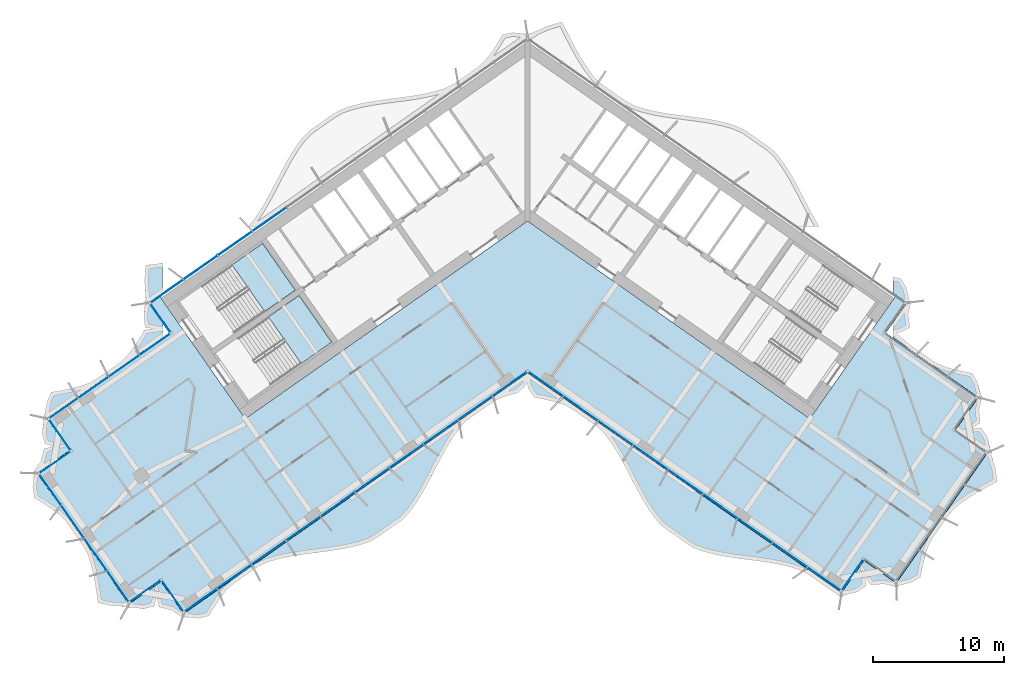
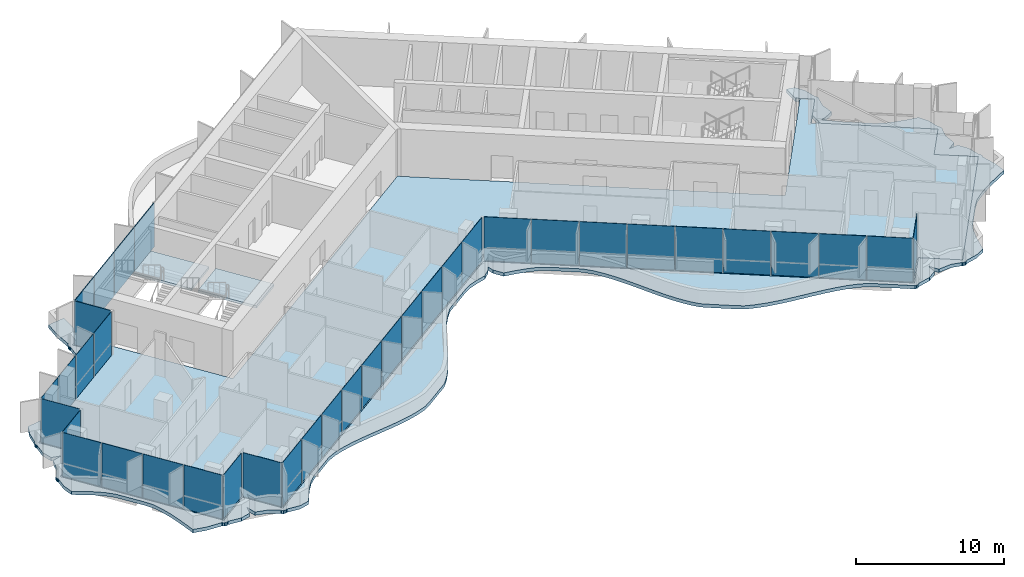
# One storey, part 12 of 23: 37 plates, 4 slabs, 4 elements without a shape of their own.
"""IFC4 building model written with IfcOpenShell, lengths in metres."""

from ifc_helpers import new_model, si_unit, direction, frame, origin, origin_2d, place, context, subcontext, project, spatial, polyline, rectangle, outline, extrude, material, layer, layer_set, type_object, element, aggregate, save


model = new_model("IFC4")

# Units and contexts
model_context = context("Model", 3, precision=1e-05, world=origin(), true_north=direction((0.0, 1.0)))
body_context = subcontext(model_context, "Body", "Model", "MODEL_VIEW")
ifc_project = project(units=[si_unit("LENGTHUNIT", "METRE"), si_unit("AREAUNIT", "SQUARE_METRE"), si_unit("VOLUMEUNIT", "CUBIC_METRE"), si_unit("PLANEANGLEUNIT", "RADIAN"), si_unit("MASSUNIT", "GRAM", prefix="KILO")], contexts=[model_context])

# Site, building, storey
site_placement = place(None, origin())
site = spatial("IfcSite", under=ifc_project, at=site_placement, CompositionType="ELEMENT")
building_placement = place(site_placement, origin())
building = spatial("IfcBuilding", under=site, at=building_placement, Name="Tel Ilan Convention Tower", CompositionType="ELEMENT")
storey_placement = place(building_placement, frame((0.0, 0.0, 194.39990234375)))
storey = spatial("IfcBuildingStorey", under=building, at=storey_placement, Name="L45", CompositionType="ELEMENT", Elevation=194.39990234375)

# Curtain wall, plates
ifc_material_1 = material(Name="Aluminium, bronze anodised", Category="aluminium")
curtain_wall_type_1 = type_object("IfcCurtainWallType", Name="CW4 STICK CURTAIN WALL, OFFICE TINTED GLASS", PredefinedType="NOTDEFINED", material=ifc_material_1)
curtain_wall_1_placement = place(storey_placement, origin())
curtain_wall_1 = element("IfcCurtainWall", 1, at=curtain_wall_1_placement, inside=storey, type_object=curtain_wall_type_1, Name="Curtain wall CW4-35.02", PredefinedType="NOTDEFINED")
ifc_material_2 = material(Name="Glass, bronze tinted, two-ply", Category="glass")
ifc_layer_1 = layer(ifc_material_2, 0.028076171875)
ifc_layer_set_1 = layer_set([ifc_layer_1], Name="CW GLASS PANEL 28")
plate_type_1 = type_object("IfcPlateType", Name="CW GLASS PANEL 28", PredefinedType="CURTAIN_PANEL", material=ifc_layer_set_1)
plate_1_placement = place(storey_placement, frame((-28.450927734375, -10.6435546875, 0.0), z_axis=(0.0, 0.0, 1.0), x_axis=(-0.819152044289, -0.573576436351, 0.0)))
plate_1 = element("IfcPlate", 2, at=plate_1_placement, type_object=plate_type_1, Name="Glass panel", PredefinedType="CURTAIN_PANEL", context=body_context, shape_type="SweptSolid", body=[
    extrude(rectangle(XDim=2.819091796875, YDim=0.028076171875, at=origin_2d()), origin(), (0.0, 0.0, 1.0), 3.6201171875),
])
plate_2_placement = place(storey_placement, frame((-30.79736328125, -12.28662109375, 0.0), z_axis=(0.0, 0.0, 1.0), x_axis=(-0.819152044289, -0.573576436351, 0.0)))
plate_2 = element("IfcPlate", 3, at=plate_2_placement, type_object=plate_type_1, Name="Glass panel", PredefinedType="CURTAIN_PANEL", context=body_context, shape_type="SweptSolid", body=[
    extrude(rectangle(XDim=2.7900390625, YDim=0.028076171875, at=origin_2d()), origin(), (0.0, 0.0, 1.0), 3.6201171875),
])
plate_3_placement = place(storey_placement, frame((-33.1318359375, -13.92138671875, 0.0), z_axis=(0.0, 0.0, 1.0), x_axis=(-0.819152044289, -0.573576436351, 0.0)))
plate_3 = element("IfcPlate", 4, at=plate_3_placement, type_object=plate_type_1, Name="Glass panel", PredefinedType="CURTAIN_PANEL", context=body_context, shape_type="SweptSolid", body=[
    extrude(rectangle(XDim=2.7900390625, YDim=0.028076171875, at=origin_2d()), origin(), (0.0, 0.0, 1.0), 3.6201171875),
])
plate_4_placement = place(storey_placement, frame((-35.427978515625, -15.529052734375, 0.0), z_axis=(0.0, 0.0, 1.0), x_axis=(-0.819152044289, -0.573576436351, 0.0)))
plate_4 = element("IfcPlate", 5, at=plate_4_placement, type_object=plate_type_1, Name="Glass panel", PredefinedType="CURTAIN_PANEL", context=body_context, shape_type="SweptSolid", body=[
    extrude(rectangle(XDim=2.696044921875, YDim=0.028076171875, at=origin_2d()), origin(), (0.0, 0.0, 1.0), 3.6201171875),
])
plate_5_placement = place(storey_placement, frame((-35.713623046875, -17.51318359375, 0.0), z_axis=(0.0, 0.0, 1.0), x_axis=(0.573576436351, -0.819152044289, 0.0)))
plate_5 = element("IfcPlate", 6, at=plate_5_placement, type_object=plate_type_1, Name="Glass panel", PredefinedType="CURTAIN_PANEL", context=body_context, shape_type="SweptSolid", body=[
    extrude(rectangle(XDim=2.875, YDim=0.028076171875, at=origin_2d()), origin(), (0.0, 0.0, 1.0), 3.6201171875),
])
plate_6_placement = place(storey_placement, frame((-36.09130859375, -19.656005859375, 0.0), z_axis=(0.0, 0.0, 1.0), x_axis=(-0.819152044289, -0.573576436351, 0.0)))
plate_6 = element("IfcPlate", 7, at=plate_6_placement, type_object=plate_type_1, Name="Glass panel", PredefinedType="CURTAIN_PANEL", context=body_context, shape_type="SweptSolid", body=[
    extrude(rectangle(XDim=2.875, YDim=0.028076171875, at=origin_2d()), origin(), (0.0, 0.0, 1.0), 3.6201171875),
])
plate_7_placement = place(storey_placement, frame((-36.4443359375, -21.699951171875, 0.0), z_axis=(0.0, 0.0, 1.0), x_axis=(0.573576436351, -0.819152044289, 0.0)))
plate_7 = element("IfcPlate", 8, at=plate_7_placement, type_object=plate_type_1, Name="Glass panel", PredefinedType="CURTAIN_PANEL", context=body_context, shape_type="SweptSolid", body=[
    extrude(rectangle(XDim=2.89599609375, YDim=0.028076171875, at=origin_2d()), origin(), (0.0, 0.0, 1.0), 3.6201171875),
])
plate_8_placement = place(storey_placement, frame((-34.721923828125, -24.159912109375, 0.0), z_axis=(0.0, 0.0, 1.0), x_axis=(0.573576436351, -0.819152044289, 0.0)))
plate_8 = element("IfcPlate", 9, at=plate_8_placement, type_object=plate_type_1, Name="Glass panel", PredefinedType="CURTAIN_PANEL", context=body_context, shape_type="SweptSolid", body=[
    extrude(rectangle(XDim=2.989990234375, YDim=0.028076171875, at=origin_2d()), origin(), (0.0, 0.0, 1.0), 3.6201171875),
])
plate_9_placement = place(storey_placement, frame((-32.972412109375, -26.658203125, 0.0), z_axis=(0.0, 0.0, 1.0), x_axis=(0.573576436351, -0.819152044289, 0.0)))
plate_9 = element("IfcPlate", 10, at=plate_9_placement, type_object=plate_type_1, Name="Glass panel", PredefinedType="CURTAIN_PANEL", context=body_context, shape_type="SweptSolid", body=[
    extrude(rectangle(XDim=2.989990234375, YDim=0.028076171875, at=origin_2d()), origin(), (0.0, 0.0, 1.0), 3.6201171875),
])
plate_10_placement = place(storey_placement, frame((-31.25, -29.1181640625, 0.0), z_axis=(0.0, 0.0, 1.0), x_axis=(0.573576436351, -0.819152044289, 0.0)))
plate_10 = element("IfcPlate", 11, at=plate_10_placement, type_object=plate_type_1, Name="Glass panel", PredefinedType="CURTAIN_PANEL", context=body_context, shape_type="SweptSolid", body=[
    extrude(rectangle(XDim=2.89599609375, YDim=0.028076171875, at=origin_2d()), origin(), (0.0, 0.0, 1.0), 3.6201171875),
])
plate_11_placement = place(storey_placement, frame((-29.20849609375, -29.48583984375, 0.0), z_axis=(0.0, 0.0, 1.0), x_axis=(0.819152044289, 0.573576436351, 0.0)))
plate_11 = element("IfcPlate", 12, at=plate_11_placement, type_object=plate_type_1, Name="Glass panel", PredefinedType="CURTAIN_PANEL", context=body_context, shape_type="SweptSolid", body=[
    extrude(rectangle(XDim=2.875, YDim=0.028076171875, at=origin_2d()), origin(), (0.0, 0.0, 1.0), 3.6201171875),
])
plate_12_placement = place(storey_placement, frame((-27.065673828125, -29.863525390625, 0.0), z_axis=(0.0, 0.0, 1.0), x_axis=(0.573576436351, -0.819152044289, 0.0)))
plate_12 = element("IfcPlate", 13, at=plate_12_placement, type_object=plate_type_1, Name="Glass panel", PredefinedType="CURTAIN_PANEL", context=body_context, shape_type="SweptSolid", body=[
    extrude(rectangle(XDim=2.875, YDim=0.028076171875, at=origin_2d()), origin(), (0.0, 0.0, 1.0), 3.6201171875),
])
plate_13_placement = place(storey_placement, frame((-24.958251953125, -30.172119140625, 0.0), z_axis=(0.0, 0.0, 1.0), x_axis=(0.819152044289, 0.573576436351, 0.0)))
plate_13 = element("IfcPlate", 14, at=plate_13_placement, type_object=plate_type_1, Name="Glass panel", PredefinedType="CURTAIN_PANEL", context=body_context, shape_type="SweptSolid", body=[
    extrude(rectangle(XDim=3.05078125, YDim=0.028076171875, at=origin_2d()), origin(), (0.0, 0.0, 1.0), 3.6201171875),
])
plate_14_placement = place(storey_placement, frame((-22.37158203125, -28.36083984375, 0.0), z_axis=(0.0, 0.0, 1.0), x_axis=(0.819152044289, 0.573576436351, 0.0)))
plate_14 = element("IfcPlate", 15, at=plate_14_placement, type_object=plate_type_1, Name="Glass panel", PredefinedType="CURTAIN_PANEL", context=body_context, shape_type="SweptSolid", body=[
    extrude(rectangle(XDim=3.144775390625, YDim=0.028076171875, at=origin_2d()), origin(), (0.0, 0.0, 1.0), 3.6201171875),
])
plate_15_placement = place(storey_placement, frame((-19.746337890625, -26.522705078125, 0.0), z_axis=(0.0, 0.0, 1.0), x_axis=(0.819152044289, 0.573576436351, 0.0)))
plate_15 = element("IfcPlate", 16, at=plate_15_placement, type_object=plate_type_1, Name="Glass panel", PredefinedType="CURTAIN_PANEL", context=body_context, shape_type="SweptSolid", body=[
    extrude(rectangle(XDim=3.144775390625, YDim=0.028076171875, at=origin_2d()), origin(), (0.0, 0.0, 1.0), 3.6201171875),
])
plate_16_placement = place(storey_placement, frame((-17.12109375, -24.684326171875, 0.0), z_axis=(0.0, 0.0, 1.0), x_axis=(0.819152044289, 0.573576436351, 0.0)))
plate_16 = element("IfcPlate", 17, at=plate_16_placement, type_object=plate_type_1, Name="Glass panel", PredefinedType="CURTAIN_PANEL", context=body_context, shape_type="SweptSolid", body=[
    extrude(rectangle(XDim=3.144775390625, YDim=0.028076171875, at=origin_2d()), origin(), (0.0, 0.0, 1.0), 3.6201171875),
])
plate_17_placement = place(storey_placement, frame((-14.49609375, -22.84619140625, 0.0), z_axis=(0.0, 0.0, 1.0), x_axis=(0.819152044289, 0.573576436351, 0.0)))
plate_17 = element("IfcPlate", 18, at=plate_17_placement, type_object=plate_type_1, Name="Glass panel", PredefinedType="CURTAIN_PANEL", context=body_context, shape_type="SweptSolid", body=[
    extrude(rectangle(XDim=3.144775390625, YDim=0.028076171875, at=origin_2d()), origin(), (0.0, 0.0, 1.0), 3.6201171875),
])
plate_18_placement = place(storey_placement, frame((-11.870849609375, -21.008056640625, 0.0), z_axis=(0.0, 0.0, 1.0), x_axis=(0.819152044289, 0.573576436351, 0.0)))
plate_18 = element("IfcPlate", 19, at=plate_18_placement, type_object=plate_type_1, Name="Glass panel", PredefinedType="CURTAIN_PANEL", context=body_context, shape_type="SweptSolid", body=[
    extrude(rectangle(XDim=3.144775390625, YDim=0.028076171875, at=origin_2d()), origin(), (0.0, 0.0, 1.0), 3.6201171875),
])
plate_19_placement = place(storey_placement, frame((-9.24560546875, -19.169921875, 0.0), z_axis=(0.0, 0.0, 1.0), x_axis=(0.819152044289, 0.573576436351, 0.0)))
plate_19 = element("IfcPlate", 20, at=plate_19_placement, type_object=plate_type_1, Name="Glass panel", PredefinedType="CURTAIN_PANEL", context=body_context, shape_type="SweptSolid", body=[
    extrude(rectangle(XDim=3.144775390625, YDim=0.028076171875, at=origin_2d()), origin(), (0.0, 0.0, 1.0), 3.6201171875),
])
plate_20_placement = place(storey_placement, frame((-6.620361328125, -17.331787109375, 0.0), z_axis=(0.0, 0.0, 1.0), x_axis=(0.819152044289, 0.573576436351, 0.0)))
plate_20 = element("IfcPlate", 21, at=plate_20_placement, type_object=plate_type_1, Name="Glass panel", PredefinedType="CURTAIN_PANEL", context=body_context, shape_type="SweptSolid", body=[
    extrude(rectangle(XDim=3.144775390625, YDim=0.028076171875, at=origin_2d()), origin(), (0.0, 0.0, 1.0), 3.6201171875),
])
plate_21_placement = place(storey_placement, frame((-3.9951171875, -15.493408203125, 0.0), z_axis=(0.0, 0.0, 1.0), x_axis=(0.819152044289, 0.573576436351, 0.0)))
plate_21 = element("IfcPlate", 22, at=plate_21_placement, type_object=plate_type_1, Name="Glass panel", PredefinedType="CURTAIN_PANEL", context=body_context, shape_type="SweptSolid", body=[
    extrude(rectangle(XDim=3.144775390625, YDim=0.028076171875, at=origin_2d()), origin(), (0.0, 0.0, 1.0), 3.6201171875),
])
plate_22_placement = place(storey_placement, frame((-1.370361328125, -13.655517578125, 0.0), z_axis=(0.0, 0.0, 1.0), x_axis=(0.819152044289, 0.573576436351, 0.0)))
plate_22 = element("IfcPlate", 23, at=plate_22_placement, type_object=plate_type_1, Name="Glass panel", PredefinedType="CURTAIN_PANEL", context=body_context, shape_type="SweptSolid", body=[
    extrude(rectangle(XDim=3.143798828125, YDim=0.028076171875, at=origin_2d()), origin(), (0.0, 0.0, 1.0), 3.6201171875),
])
plate_23_placement = place(storey_placement, frame((1.400390625, -13.676513671875, 0.0), z_axis=(0.0, 0.0, 1.0), x_axis=(0.819152044289, -0.573576436351, 0.0)))
plate_23 = element("IfcPlate", 24, at=plate_23_placement, type_object=plate_type_1, Name="Glass panel", PredefinedType="CURTAIN_PANEL", context=body_context, shape_type="SweptSolid", body=[
    extrude(rectangle(XDim=3.16064453125, YDim=0.028076171875, at=origin_2d()), origin(), (0.0, 0.0, 1.0), 3.6201171875),
])
plate_24_placement = place(storey_placement, frame((4.050537109375, -15.5322265625, 0.0), z_axis=(0.0, 0.0, 1.0), x_axis=(0.819152044289, -0.573576436351, 0.0)))
plate_24 = element("IfcPlate", 25, at=plate_24_placement, type_object=plate_type_1, Name="Glass panel", PredefinedType="CURTAIN_PANEL", context=body_context, shape_type="SweptSolid", body=[
    extrude(rectangle(XDim=3.189697265625, YDim=0.028076171875, at=origin_2d()), origin(), (0.0, 0.0, 1.0), 3.6201171875),
])
plate_25_placement = place(storey_placement, frame((6.71240234375, -17.396240234375, 0.0), z_axis=(0.0, 0.0, 1.0), x_axis=(0.819152044289, -0.573576436351, 0.0)))
plate_25 = element("IfcPlate", 26, at=plate_25_placement, type_object=plate_type_1, Name="Glass panel", PredefinedType="CURTAIN_PANEL", context=body_context, shape_type="SweptSolid", body=[
    extrude(rectangle(XDim=3.189697265625, YDim=0.028076171875, at=origin_2d()), origin(), (0.0, 0.0, 1.0), 3.6201171875),
])
plate_26_placement = place(storey_placement, frame((9.37451171875, -19.26025390625, 0.0), z_axis=(0.0, 0.0, 1.0), x_axis=(0.819152044289, -0.573576436351, 0.0)))
plate_26 = element("IfcPlate", 27, at=plate_26_placement, type_object=plate_type_1, Name="Glass panel", PredefinedType="CURTAIN_PANEL", context=body_context, shape_type="SweptSolid", body=[
    extrude(rectangle(XDim=3.189697265625, YDim=0.028076171875, at=origin_2d()), origin(), (0.0, 0.0, 1.0), 3.6201171875),
])
plate_27_placement = place(storey_placement, frame((12.03662109375, -21.124267578125, 0.0), z_axis=(0.0, 0.0, 1.0), x_axis=(0.819152044289, -0.573576436351, 0.0)))
plate_27 = element("IfcPlate", 28, at=plate_27_placement, type_object=plate_type_1, Name="Glass panel", PredefinedType="CURTAIN_PANEL", context=body_context, shape_type="SweptSolid", body=[
    extrude(rectangle(XDim=3.189697265625, YDim=0.028076171875, at=origin_2d()), origin(), (0.0, 0.0, 1.0), 3.6201171875),
])
plate_28_placement = place(storey_placement, frame((14.69873046875, -22.988037109375, 0.0), z_axis=(0.0, 0.0, 1.0), x_axis=(0.819152044289, -0.573576436351, 0.0)))
plate_28 = element("IfcPlate", 29, at=plate_28_placement, type_object=plate_type_1, Name="Glass panel", PredefinedType="CURTAIN_PANEL", context=body_context, shape_type="SweptSolid", body=[
    extrude(rectangle(XDim=3.189697265625, YDim=0.028076171875, at=origin_2d()), origin(), (0.0, 0.0, 1.0), 3.6201171875),
])
plate_29_placement = place(storey_placement, frame((17.360595703125, -24.85205078125, 0.0), z_axis=(0.0, 0.0, 1.0), x_axis=(0.819152044289, -0.573576436351, 0.0)))
plate_29 = element("IfcPlate", 30, at=plate_29_placement, type_object=plate_type_1, Name="Glass panel", PredefinedType="CURTAIN_PANEL", context=body_context, shape_type="SweptSolid", body=[
    extrude(rectangle(XDim=3.189697265625, YDim=0.028076171875, at=origin_2d()), origin(), (0.0, 0.0, 1.0), 3.6201171875),
])
plate_30_placement = place(storey_placement, frame((20.022705078125, -26.716064453125, 0.0), z_axis=(0.0, 0.0, 1.0), x_axis=(0.819152044289, -0.573576436351, 0.0)))
plate_30 = element("IfcPlate", 31, at=plate_30_placement, type_object=plate_type_1, Name="Glass panel", PredefinedType="CURTAIN_PANEL", context=body_context, shape_type="SweptSolid", body=[
    extrude(rectangle(XDim=3.189697265625, YDim=0.028076171875, at=origin_2d()), origin(), (0.0, 0.0, 1.0), 3.6201171875),
])
plate_31_placement = place(storey_placement, frame((22.646240234375, -28.55322265625, 0.0), z_axis=(0.0, 0.0, 1.0), x_axis=(0.819152044289, -0.573576436351, 0.0)))
plate_31 = element("IfcPlate", 32, at=plate_31_placement, type_object=plate_type_1, Name="Glass panel", PredefinedType="CURTAIN_PANEL", context=body_context, shape_type="SweptSolid", body=[
    extrude(rectangle(XDim=3.095703125, YDim=0.028076171875, at=origin_2d()), origin(), (0.0, 0.0, 1.0), 3.6201171875),
])
plate_32_placement = place(storey_placement, frame((24.772216796875, -28.257568359375, 0.0), z_axis=(0.0, 0.0, 1.0), x_axis=(0.573576436351, 0.819152044289, 0.0)))
plate_32 = element("IfcPlate", 33, at=plate_32_placement, type_object=plate_type_1, Name="Glass panel", PredefinedType="CURTAIN_PANEL", context=body_context, shape_type="SweptSolid", body=[
    extrude(rectangle(XDim=2.875, YDim=0.028076171875, at=origin_2d()), origin(), (0.0, 0.0, 1.0), 3.6201171875),
])
aggregate(curtain_wall_1, [plate_1, plate_2, plate_3, plate_4, plate_5, plate_6, plate_7, plate_8, plate_9, plate_10, plate_11, plate_12, plate_13, plate_14, plate_15, plate_16, plate_17, plate_18, plate_19, plate_20, plate_21, plate_22, plate_23, plate_24, plate_25, plate_26, plate_27, plate_28, plate_29, plate_30, plate_31, plate_32])

ifc_material_3 = material(Name="Aluminium, bronze anodised", Category="aluminium")
curtain_wall_type_2 = type_object("IfcCurtainWallType", Name="CW2 STICK CURTAIN WALL, SPANDREL PANELS", PredefinedType="NOTDEFINED", material=ifc_material_3)
curtain_wall_2_placement = place(storey_placement, origin())
curtain_wall_2 = element("IfcCurtainWall", 34, at=curtain_wall_2_placement, inside=storey, type_object=curtain_wall_type_2, Name="Curtain wall CW2-35.01", PredefinedType="NOTDEFINED")
ifc_material_4 = material(Name="Aluminium composite panel, bronze anodised", Category="aluminium")
ifc_layer_2 = layer(ifc_material_4, 0.06005859375)
ifc_layer_set_2 = layer_set([ifc_layer_2], Name="CW SPANDREL PANEL 60")
plate_type_2 = type_object("IfcPlateType", Name="CW SPANDREL PANEL 60", PredefinedType="CURTAIN_PANEL", material=ifc_layer_set_2)
plate_33_placement = place(storey_placement, frame((-19.687255859375, -1.089111328125, 0.0), z_axis=(0.0, 0.0, 1.0), x_axis=(-0.819152044289, -0.573576436351, 0.0)))
plate_33 = element("IfcPlate", 35, at=plate_33_placement, type_object=plate_type_2, Name="Spandrel panel", PredefinedType="CURTAIN_PANEL", context=body_context, shape_type="SweptSolid", body=[
    extrude(rectangle(XDim=3.15380859375, YDim=0.06005859375, at=origin_2d()), origin(), (0.0, 0.0, 1.0), 3.6201171875),
])
plate_34_placement = place(storey_placement, frame((-22.31982421875, -2.9326171875, 0.0), z_axis=(0.0, 0.0, 1.0), x_axis=(-0.819152044289, -0.573576436351, 0.0)))
plate_34 = element("IfcPlate", 36, at=plate_34_placement, type_object=plate_type_2, Name="Spandrel panel", PredefinedType="CURTAIN_PANEL", context=body_context, shape_type="SweptSolid", body=[
    extrude(rectangle(XDim=3.15380859375, YDim=0.06005859375, at=origin_2d()), origin(), (0.0, 0.0, 1.0), 3.6201171875),
])
plate_35_placement = place(storey_placement, frame((-24.95263671875, -4.77587890625, 0.0), z_axis=(0.0, 0.0, 1.0), x_axis=(-0.819152044289, -0.573576436351, 0.0)))
plate_35 = element("IfcPlate", 37, at=plate_35_placement, type_object=plate_type_2, Name="Spandrel panel", PredefinedType="CURTAIN_PANEL", context=body_context, shape_type="SweptSolid", body=[
    extrude(rectangle(XDim=3.15380859375, YDim=0.06005859375, at=origin_2d()), origin(), (0.0, 0.0, 1.0), 3.6201171875),
])
plate_36_placement = place(storey_placement, frame((-27.5400390625, -6.587646484375, 0.0), z_axis=(0.0, 0.0, 1.0), x_axis=(-0.819152044289, -0.573576436351, 0.0)))
plate_36 = element("IfcPlate", 38, at=plate_36_placement, type_object=plate_type_2, Name="Spandrel panel", PredefinedType="CURTAIN_PANEL", context=body_context, shape_type="SweptSolid", body=[
    extrude(rectangle(XDim=3.0439453125, YDim=0.06005859375, at=origin_2d()), origin(), (0.0, 0.0, 1.0), 3.6201171875),
])
plate_37_placement = place(storey_placement, frame((-28.033935546875, -8.60546875, 0.0), z_axis=(0.0, 0.0, 1.0), x_axis=(0.573576436351, -0.819152044289, 0.0)))
plate_37 = element("IfcPlate", 39, at=plate_37_placement, type_object=plate_type_2, Name="Spandrel panel", PredefinedType="CURTAIN_PANEL", context=body_context, shape_type="SweptSolid", body=[
    extrude(rectangle(XDim=2.658935546875, YDim=0.06005859375, at=origin_2d()), origin(), (0.0, 0.0, 1.0), 3.6201171875),
])
aggregate(curtain_wall_2, [plate_33, plate_34, plate_35, plate_36, plate_37])

# Stair, slab
ifc_material_5 = material(Name="Concrete C40/50", Category="concrete")
stair_type = type_object("IfcStairType", Name="Pressurised Exit Stair 22 risers 177 mm", PredefinedType="HALF_TURN_STAIR", material=ifc_material_5)
stair_1_placement = place(storey_placement, origin())
stair_1 = element("IfcStair", 40, at=stair_1_placement, inside=storey, type_object=stair_type, Name="L45 Pressurised Stair S1", PredefinedType="HALF_TURN_STAIR")
ifc_material_6 = material(Name="Concrete C40/50", Category="concrete")
ifc_layer_3 = layer(ifc_material_6, 0.199951171875)
ifc_layer_set_3 = layer_set([ifc_layer_3], Name="Concrete Stair Landing 200 mm C40/50")
slab_type_1 = type_object("IfcSlabType", Name="Concrete Stair Landing 200 mm", PredefinedType="LANDING", material=ifc_layer_set_3)
slab_1_placement = place(storey_placement, frame((0.0, 0.0, 1.75)))
slab_1 = element("IfcSlab", 41, at=slab_1_placement, type_object=slab_type_1, Name="S1 landing 1", PredefinedType="LANDING", context=body_context, shape_type="SweptSolid", body=[
    extrude(outline(polyline([(-20.066650390625, -8.130126953125), (-17.7314453125, -6.494873046875), (-20.226318359375, -2.931640625), (-22.561767578125, -4.566650390625), (-20.066650390625, -8.130126953125)])), origin(), (0.0, 0.0, 1.0), 0.2001953125),
])
aggregate(stair_1, [slab_1])

stair_2_placement = place(storey_placement, origin())
stair_2 = element("IfcStair", 42, at=stair_2_placement, inside=storey, type_object=stair_type, Name="L45 Pressurised Stair S2", PredefinedType="HALF_TURN_STAIR")
slab_2_placement = place(storey_placement, frame((0.0, 0.0, 1.75)))
slab_2 = element("IfcSlab", 43, at=slab_2_placement, type_object=slab_type_1, Name="S2 landing 1", PredefinedType="LANDING", context=body_context, shape_type="SweptSolid", body=[
    extrude(outline(polyline([(-17.28466796875, -12.10302734375), (-14.949462890625, -10.4677734375), (-17.444580078125, -6.904541015625), (-19.77978515625, -8.53955078125), (-17.28466796875, -12.10302734375)])), origin(), (0.0, 0.0, 1.0), 0.2001953125),
])
aggregate(stair_2, [slab_2])

# Slabs
ifc_material_7 = material(Name="Concrete C40/50", Category="concrete")
ifc_layer_4 = layer(ifc_material_7, 0.280029296875)
ifc_layer_set_4 = layer_set([ifc_layer_4], Name="Edge Ledge Slab 280 mm C40/50")
slab_type_2 = type_object("IfcSlabType", Name="Edge Ledge Slab 280 mm C40/50", PredefinedType="FLOOR", material=ifc_layer_set_4)
slab_3_placement = place(storey_placement, frame((0.0, 0.0, -0.27978515625)))
element("IfcSlab", 44, at=slab_3_placement, inside=storey, type_object=slab_type_2, Name="L45 edge ledge 1", PredefinedType="FLOOR", context=body_context, shape_type="SweptSolid", body=[
    extrude(outline(polyline([(-29.29443359375, -8.548583984375), (-29.20458984375, -7.631103515625), (-29.199951171875, -7.6279296875), (-29.236083984375, -7.57373046875), (-29.2587890625, -7.458984375), (-29.236083984375, -7.34423828125), (-29.1708984375, -7.246826171875), (-29.127685546875, -7.218017578125), (-29.130859375, -7.21337890625), (-29.231689453125, -5.78515625), (-29.161865234375, -4.60107421875), (-28.33935546875, -4.49169921875), (-27.875, -4.4326171875), (-27.875, -6.7001953125), (-28.7177734375, -7.290283203125), (-28.958740234375, -7.458984375), (-27.875, -9.007080078125), (-27.875, -10.1181640625), (-36.449951171875, -16.12255859375), (-36.691162109375, -16.29150390625), (-34.970458984375, -18.748779296875), (-35.99462890625, -19.466064453125), (-37.186767578125, -20.30078125), (-37.427978515625, -20.469482421875), (-30.43017578125, -30.46337890625), (-27.972900390625, -28.74267578125), (-26.251953125, -31.199951171875), (-13.61181640625, -22.34912109375), (-2.66162109375, -14.681884765625), (-0.2412109375, -12.98681640625), (0.0, -12.818115234375), (0.2412109375, -12.98681640625), (1.221435546875, -13.67333984375), (12.8291015625, -21.801025390625), (23.95849609375, -29.593994140625), (25.67919921875, -27.136474609375), (28.13671875, -28.857421875), (35.13427734375, -18.863525390625), (34.89306640625, -18.69482421875), (34.76220703125, -18.603271484375), (33.905517578125, -18.003173828125), (32.6767578125, -17.142822265625), (34.3974609375, -14.685302734375), (27.875, -10.1181640625), (27.875, -9.007080078125), (28.7900390625, -7.7001953125), (28.958740234375, -7.458984375), (27.875, -6.7001953125), (27.875, -5.485595703125), (28.465576171875, -5.595458984375), (28.894287109375, -6.267333984375), (29.130859375, -7.21337890625), (29.127685546875, -7.218017578125), (29.1708984375, -7.246826171875), (29.236083984375, -7.34423828125), (29.2587890625, -7.458984375), (29.236083984375, -7.57373046875), (29.199951171875, -7.6279296875), (29.20458984375, -7.631103515625), (29.044921875, -8.373779296875), (29.194091796875, -9.332763671875), (28.4912109375, -9.6953125), (28.123291015625, -9.789794921875), (28.18212890625, -9.817626953125), (28.730712890625, -10.28369140625), (29.285888671875, -10.739990234375), (31.047119140625, -11.973388671875), (31.703369140625, -12.285888671875), (32.42138671875, -12.509521484375), (33.172119140625, -12.68701171875), (33.945068359375, -12.832763671875), (34.3369140625, -13.5224609375), (34.569580078125, -14.439697265625), (34.56640625, -14.4443359375), (34.609619140625, -14.473388671875), (34.6748046875, -14.570556640625), (34.697509765625, -14.685302734375), (34.6748046875, -14.80029296875), (34.638671875, -14.854248046875), (34.643310546875, -14.857421875), (34.455322265625, -15.6416015625), (34.5458984375, -16.62060546875), (33.9111328125, -17.059326171875), (34.61181640625, -16.994384765625), (35.066650390625, -17.652587890625), (35.306396484375, -18.617919921875), (35.302978515625, -18.62255859375), (35.346435546875, -18.651611328125), (35.411376953125, -18.748779296875), (35.43408203125, -18.863525390625), (35.411376953125, -18.978515625), (35.375244140625, -19.032470703125), (35.3798828125, -19.03564453125), (35.716796875, -20.147705078125), (35.840576171875, -21.1103515625), (35.13037109375, -21.489013671875), (34.43017578125, -21.875), (33.759033203125, -22.281005859375), (33.1279296875, -22.71533203125), (32.546142578125, -23.18408203125), (32.0869140625, -23.738525390625), (30.85205078125, -25.502197265625), (30.537841796875, -26.158203125), (30.313720703125, -26.877197265625), (30.135498046875, -27.628662109375), (29.989990234375, -28.40283203125), (29.301025390625, -28.79638671875), (28.38232421875, -29.029296875), (28.377685546875, -29.026123046875), (28.3486328125, -29.0693359375), (28.25146484375, -29.134521484375), (28.13671875, -29.1572265625), (28.021728515625, -29.134521484375), (27.9677734375, -29.098388671875), (27.964599609375, -29.10302734375), (27.1806640625, -28.9150390625), (26.201416015625, -29.005615234375), (25.7626953125, -28.370849609375), (25.827392578125, -29.071533203125), (25.169677734375, -29.526611328125), (24.2041015625, -29.76611328125), (24.199462890625, -29.7626953125), (24.17041015625, -29.80615234375), (24.0732421875, -29.87109375), (23.95849609375, -29.89404296875), (23.843505859375, -29.87109375), (23.78955078125, -29.835205078125), (23.786376953125, -29.839599609375), (21.3291015625, -28.119140625), (20.632080078125, -27.80712890625), (19.875244140625, -27.580322265625), (19.084228515625, -27.402587890625), (18.26708984375, -27.26220703125), (17.432861328125, -27.14599609375), (16.591796875, -27.03955078125), (15.75439453125, -26.92822265625), (14.930419921875, -26.79736328125), (14.1298828125, -26.63330078125), (13.361083984375, -26.423583984375), (12.631103515625, -26.15869140625), (12.007080078125, -25.742431640625), (10.778564453125, -24.882080078125), (10.174072265625, -24.437744140625), (9.675537109375, -23.84228515625), (9.2158203125, -23.191162109375), (8.7880859375, -22.494873046875), (8.38330078125, -21.765380859375), (7.9921875, -21.016357421875), (7.6044921875, -20.262451171875), (7.2099609375, -19.5185546875), (6.798583984375, -18.798583984375), (6.36083984375, -18.1162109375), (5.888916015625, -17.48291015625), (5.356689453125, -16.935302734375), (3.513916015625, -15.644775390625), (2.855712890625, -15.277099609375), (2.112060546875, -15.03173828125), (1.331787109375, -14.8388671875), (0.522216796875, -14.687255859375), (0.0673828125, -14.029296875), (-0.0556640625, -13.532958984375), (-0.200439453125, -13.831298828125), (-0.755615234375, -14.337890625), (-1.5224609375, -14.5419921875), (-2.251708984375, -14.800048828125), (-2.880615234375, -15.201416015625), (-4.7119140625, -16.48388671875), (-5.212890625, -17.067626953125), (-5.67431640625, -17.708251953125), (-6.103271484375, -18.39501953125), (-6.508056640625, -19.1162109375), (-6.898193359375, -19.858642578125), (-7.283203125, -20.608154296875), (-7.673583984375, -21.35009765625), (-8.0791015625, -22.0703125), (-8.509033203125, -22.755615234375), (-8.9716796875, -23.39404296875), (-9.4775390625, -23.97119140625), (-11.30908203125, -25.253662109375), (-11.941650390625, -25.649658203125), (-12.672119140625, -25.90576171875), (-13.4404296875, -26.10791015625), (-14.239013671875, -26.266845703125), (-15.059814453125, -26.394287109375), (-15.892822265625, -26.503662109375), (-16.728515625, -26.609619140625), (-17.556396484375, -26.726806640625), (-18.36669921875, -26.86865234375), (-19.150634765625, -27.048583984375), (-19.900146484375, -27.277587890625), (-20.58544921875, -27.598388671875), (-22.4169921875, -28.880859375), (-22.980224609375, -29.375732421875), (-23.4609375, -29.98828125), (-23.90576171875, -30.652587890625), (-24.322021484375, -31.357421875), (-25.097412109375, -31.54931640625), (-26.080078125, -31.44580078125), (-26.083251953125, -31.441162109375), (-26.13720703125, -31.477294921875), (-26.251953125, -31.5), (-26.36669921875, -31.477294921875), (-26.464111328125, -31.412109375), (-26.4931640625, -31.368896484375), (-26.497802734375, -31.3720703125), (-27.170166015625, -30.92724609375), (-28.12109375, -30.677490234375), (-28.31640625, -29.930908203125), (-28.4951171875, -30.61181640625), (-29.26904296875, -30.814208984375), (-30.25830078125, -30.708984375), (-30.261474609375, -30.704345703125), (-30.3154296875, -30.740478515625), (-30.43017578125, -30.76318359375), (-30.544921875, -30.740478515625), (-30.642333984375, -30.67529296875), (-30.67138671875, -30.632080078125), (-30.676025390625, -30.635498046875), (-31.836181640625, -30.57177734375), (-32.782958984375, -30.358642578125), (-32.89599609375, -29.5615234375), (-33.01904296875, -28.771728515625), (-33.17138671875, -28.002197265625), (-33.363525390625, -27.2607421875), (-33.60498046875, -26.5537109375), (-33.968994140625, -25.9326171875), (-35.203857421875, -24.1689453125), (-35.712890625, -23.649169921875), (-36.311767578125, -23.1923828125), (-36.95703125, -22.768310546875), (-37.634765625, -22.36669921875), (-37.76904296875, -21.584716796875), (-37.673583984375, -20.6416015625), (-37.6689453125, -20.638427734375), (-37.705078125, -20.58447265625), (-37.727783203125, -20.469482421875), (-37.705078125, -20.354736328125), (-37.639892578125, -20.257568359375), (-37.5966796875, -20.228515625), (-37.599853515625, -20.223876953125), (-37.1552734375, -19.551513671875), (-36.905517578125, -18.6005859375), (-36.15869140625, -18.4052734375), (-36.839599609375, -18.2265625), (-37.0419921875, -17.45263671875), (-36.93701171875, -16.46337890625), (-36.93212890625, -16.460205078125), (-36.96826171875, -16.40625), (-36.9912109375, -16.29150390625), (-36.96826171875, -16.176513671875), (-36.9033203125, -16.079345703125), (-36.85986328125, -16.05029296875), (-36.86328125, -16.045654296875), (-36.686767578125, -15.055419921875), (-36.35986328125, -14.280029296875), (-35.58203125, -14.148681640625), (-34.8203125, -13.994384765625), (-34.086669921875, -13.7998046875), (-33.387451171875, -13.55615234375), (-32.777587890625, -13.18505859375), (-31.026611328125, -11.958984375), (-30.515380859375, -11.447021484375), (-30.06298828125, -10.850830078125), (-29.642578125, -10.208984375), (-29.2431640625, -9.537353515625), (-28.64111328125, -9.44189453125), (-29.194091796875, -9.332763671875), (-29.29443359375, -8.548583984375)])), origin(), (0.0, 0.0, 1.0), 0.27978515625),
])
ifc_material_8 = material(Name="Concrete C40/50", Category="concrete")
ifc_layer_5 = layer(ifc_material_8, 0.280029296875)
ifc_layer_set_5 = layer_set([ifc_layer_5], Name="Flat Plate Floor Slab 280 mm C40/50")
slab_type_3 = type_object("IfcSlabType", Name="Flat Plate Floor Slab 280 mm C40/50", PredefinedType="FLOOR", material=ifc_layer_set_5)
slab_4_placement = place(storey_placement, frame((0.0, 0.0, -0.27978515625)))
element("IfcSlab", 45, at=slab_4_placement, inside=storey, type_object=slab_type_3, Name="L45 floor slab", PredefinedType="FLOOR", context=body_context, shape_type="SweptSolid", body=[
    extrude(outline(polyline([(-21.54345703125, -16.3056640625), (0.0, -1.220703125), (21.54345703125, -16.3056640625), (28.1396484375, -6.885498046875), (28.958740234375, -7.458984375), (27.352783203125, -9.752685546875), (34.3974609375, -14.685302734375), (32.6767578125, -17.142822265625), (35.13427734375, -18.863525390625), (28.13671875, -28.857421875), (25.67919921875, -27.136474609375), (23.95849609375, -29.593994140625), (0.0, -12.818115234375), (-26.251953125, -31.199951171875), (-27.972900390625, -28.74267578125), (-30.43017578125, -30.46337890625), (-37.427978515625, -20.469482421875), (-34.970458984375, -18.748779296875), (-36.691162109375, -16.29150390625), (-27.352783203125, -9.752685546875), (-28.958740234375, -7.458984375), (-28.1396484375, -6.885498046875), (-21.54345703125, -16.3056640625)])), origin(), (0.0, 0.0, 1.0), 0.27978515625),
])

save(model, "model.ifc")
